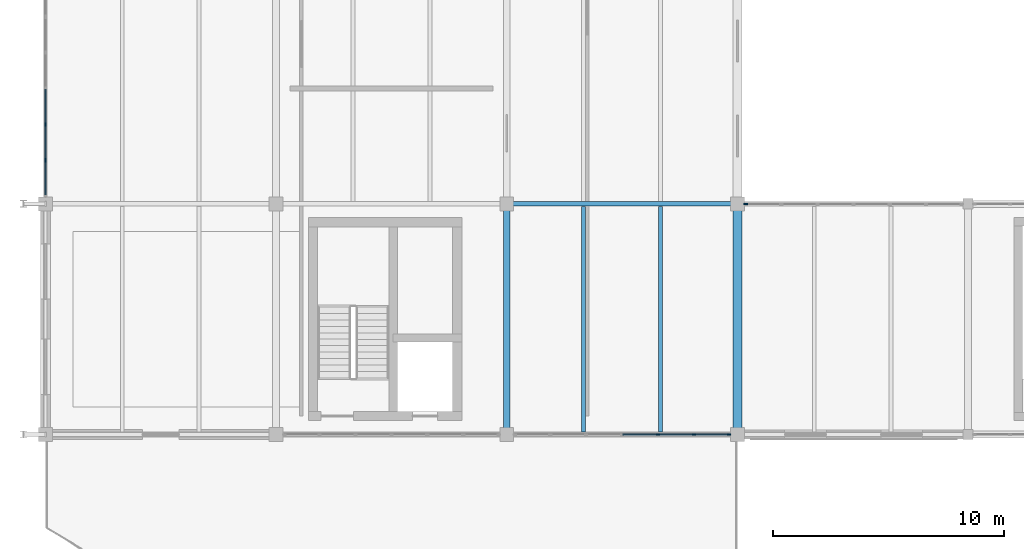
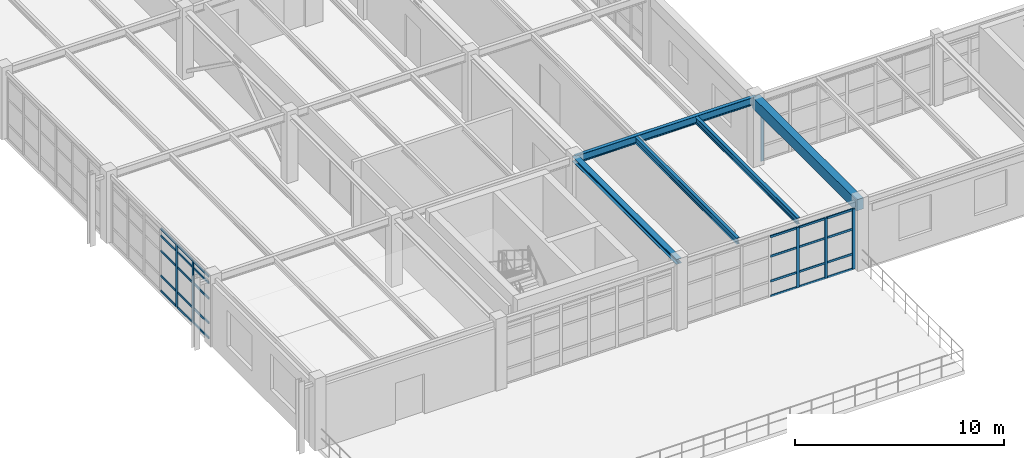
# One storey, part 25 of 122: 33 members, 5 beams, 3 elements without a shape of their own.
"""IFC4 building model written with IfcOpenShell, lengths in metres."""

from ifc_helpers import new_model, si_unit, direction, frame, origin, origin_2d, place, context, subcontext, project, spatial, rectangle, i_section, extrude, material, layer, layer_set, material_profile, profile_set, type_object, element, aggregate, save


model = new_model("IFC4")

# Units and contexts
model_context = context("Model", 3, precision=1e-05, world=origin(), true_north=direction((0.0, 1.0)))
body_context = subcontext(model_context, "Body", "Model", "MODEL_VIEW")
ifc_project = project(units=[si_unit("LENGTHUNIT", "METRE"), si_unit("AREAUNIT", "SQUARE_METRE"), si_unit("VOLUMEUNIT", "CUBIC_METRE"), si_unit("PLANEANGLEUNIT", "RADIAN"), si_unit("MASSUNIT", "GRAM", prefix="KILO"), si_unit("THERMODYNAMICTEMPERATUREUNIT", "KELVIN"), si_unit("POWERUNIT", "WATT")], contexts=[model_context])

# Site, building, storey
site_placement = place(None, origin())
site = spatial("IfcSite", under=ifc_project, at=site_placement, CompositionType="ELEMENT")
building_placement = place(site_placement, origin())
building = spatial("IfcBuilding", under=site, at=building_placement, Name="Korenveer Ferry Terminal", CompositionType="ELEMENT")
storey_placement = place(building_placement, frame((0.0, 0.0, 10.199951171875)))
storey = spatial("IfcBuildingStorey", under=building, at=storey_placement, Name="L02", CompositionType="ELEMENT", Elevation=10.199951171875)

# Curtain wall, members
ifc_material_1 = material(Name="Unitised bronze-and-glass curtain wall", Category="glass")
ifc_layer_1 = layer(ifc_material_1, 0.159912109375)
ifc_layer_set_1 = layer_set([ifc_layer_1], Name="Unitised bronze-and-glass curtain wall")
curtain_wall_type_1 = type_object("IfcCurtainWallType", Name="ENV-CW-83", PredefinedType="USERDEFINED", material=ifc_layer_set_1)
curtain_wall_1_placement = place(storey_placement, frame((20.330078125, 20.0, 0.0)))
curtain_wall_1 = element("IfcCurtainWall", 1, at=curtain_wall_1_placement, inside=storey, type_object=curtain_wall_type_1, Name="Lancet curtain wall CWX-L02-X20-30-Y20-20", ObjectType="UNITISED CURTAIN WALL", PredefinedType="USERDEFINED")
ifc_material_2 = material(Name="Anodised bronze aluminium", Category="aluminium")
ifc_material_profile_1 = material_profile(ifc_material_2, rectangle(XDim=0.06005859375, YDim=0.159912109375, at=origin_2d()), Name="ALU 60x160")
ifc_profile_set_1 = profile_set([ifc_material_profile_1], Name="Anodised bronze aluminium")
member_type_1 = type_object("IfcMemberType", Name="ENV-CWM-60X160", PredefinedType="MULLION", material=ifc_profile_set_1)
member_1_placement = place(storey_placement, frame((26.556640625, 20.0, 0.0), z_axis=(0.0, 0.0, 1.0), x_axis=(0.0, 1.0, 0.0)))
member_1 = element("IfcMember", 2, at=member_1_placement, type_object=member_type_1, Name="CW-83 mullion 5", PredefinedType="MULLION", context=body_context, shape_type="SweptSolid", body=[
    extrude(rectangle(XDim=0.06005859375, YDim=0.159912109375, at=origin_2d()), origin(), (0.0, 0.0, 1.0), 3.52001953125),
])
member_2_placement = place(storey_placement, frame((28.11328125, 20.0, 0.0), z_axis=(0.0, 0.0, 1.0), x_axis=(0.0, 1.0, 0.0)))
member_2 = element("IfcMember", 3, at=member_2_placement, type_object=member_type_1, Name="CW-83 mullion 6", PredefinedType="MULLION", context=body_context, shape_type="SweptSolid", body=[
    extrude(rectangle(XDim=0.06005859375, YDim=0.159912109375, at=origin_2d()), origin(), (0.0, 0.0, 1.0), 3.52001953125),
])
member_3_placement = place(storey_placement, frame((29.639892578125, 20.0, 0.0), z_axis=(0.0, 0.0, 1.0), x_axis=(0.0, 1.0, 0.0)))
member_3 = element("IfcMember", 4, at=member_3_placement, type_object=member_type_1, Name="CW-83 mullion 7", PredefinedType="MULLION", context=body_context, shape_type="SweptSolid", body=[
    extrude(rectangle(XDim=0.06005859375, YDim=0.159912109375, at=origin_2d()), origin(), (0.0, 0.0, 1.0), 3.52001953125),
])

# Curtain wall, member
ifc_layer_2 = layer(ifc_material_1, 0.159912109375)
ifc_layer_set_2 = layer_set([ifc_layer_2], Name="Unitised bronze-and-glass curtain wall")
curtain_wall_type_2 = type_object("IfcCurtainWallType", Name="ENV-CW-88", PredefinedType="USERDEFINED", material=ifc_layer_set_2)
curtain_wall_2_placement = place(storey_placement, frame((30.330078125, 30.0, 0.0)))
curtain_wall_2 = element("IfcCurtainWall", 5, at=curtain_wall_2_placement, inside=storey, type_object=curtain_wall_type_2, Name="Lancet curtain wall CWX-L02-X30-40-Y30-30", ObjectType="UNITISED CURTAIN WALL", PredefinedType="USERDEFINED")
member_4_placement = place(storey_placement, frame((30.360107421875, 30.0, 0.0), z_axis=(0.0, 0.0, 1.0), x_axis=(0.0, 1.0, 0.0)))
member_4 = element("IfcMember", 6, at=member_4_placement, type_object=member_type_1, Name="CW-88 mullion 1", PredefinedType="MULLION", context=body_context, shape_type="SweptSolid", body=[
    extrude(rectangle(XDim=0.06005859375, YDim=0.159912109375, at=origin_2d()), origin(), (0.0, 0.0, 1.0), 3.47998046875),
])
aggregate(curtain_wall_2, [member_4])

# Curtain wall, members
ifc_layer_3 = layer(ifc_material_1, 0.159912109375)
ifc_layer_set_3 = layer_set([ifc_layer_3], Name="Unitised bronze-and-glass curtain wall")
curtain_wall_type_3 = type_object("IfcCurtainWallType", Name="ENV-CW-104", PredefinedType="USERDEFINED", material=ifc_layer_set_3)
curtain_wall_3_placement = place(storey_placement, frame((0.0, 30.330078125, 0.0)))
curtain_wall_3 = element("IfcCurtainWall", 7, at=curtain_wall_3_placement, inside=storey, type_object=curtain_wall_type_3, Name="Lancet curtain wall CWX-L02-X0-0-Y30-40", ObjectType="UNITISED CURTAIN WALL", PredefinedType="USERDEFINED")
member_5_placement = place(storey_placement, frame((0.0, 31.88671875, 0.0), z_axis=(0.0, 0.0, 1.0), x_axis=(-1.0, 0.0, 0.0)))
member_5 = element("IfcMember", 8, at=member_5_placement, type_object=member_type_1, Name="CW-104 mullion 2", PredefinedType="MULLION", context=body_context, shape_type="SweptSolid", body=[
    extrude(rectangle(XDim=0.06005859375, YDim=0.159912109375, at=origin_2d()), origin(), (0.0, 0.0, 1.0), 3.670166015625),
])
member_6_placement = place(storey_placement, frame((0.0, 33.443359375, 0.0), z_axis=(0.0, 0.0, 1.0), x_axis=(-1.0, 0.0, 0.0)))
member_6 = element("IfcMember", 9, at=member_6_placement, type_object=member_type_1, Name="CW-104 mullion 3", PredefinedType="MULLION", context=body_context, shape_type="SweptSolid", body=[
    extrude(rectangle(XDim=0.06005859375, YDim=0.159912109375, at=origin_2d()), origin(), (0.0, 0.0, 1.0), 3.670166015625),
])

# Member
ifc_material_profile_2 = material_profile(ifc_material_2, rectangle(XDim=0.06005859375, YDim=0.1201171875, at=origin_2d()), Name="ALU 60x120")
ifc_profile_set_2 = profile_set([ifc_material_profile_2], Name="Anodised bronze aluminium")
member_type_2 = type_object("IfcMemberType", Name="ENV-CWT-60X120", PredefinedType="USERDEFINED", material=ifc_profile_set_2)
member_7_placement = place(storey_placement, frame((25.030029296875, 20.0, 0.030029296875), z_axis=(1.0, 0.0, 0.0), x_axis=(0.0, 1.0, 0.0)))
member_7 = element("IfcMember", 10, at=member_7_placement, type_object=member_type_2, Name="CW-83 transom 4.1", ObjectType="TRANSOM", PredefinedType="USERDEFINED", context=body_context, shape_type="SweptSolid", body=[
    extrude(rectangle(XDim=0.06005859375, YDim=0.1201171875, at=origin_2d()), origin(), (0.0, 0.0, 1.0), 1.49658203125),
])

member_8_placement = place(storey_placement, frame((25.030029296875, 20.0, 0.900146484375), z_axis=(1.0, 0.0, 0.0), x_axis=(0.0, 1.0, 0.0)))
member_8 = element("IfcMember", 11, at=member_8_placement, type_object=member_type_2, Name="CW-83 transom 4.2", ObjectType="TRANSOM", PredefinedType="USERDEFINED", context=body_context, shape_type="SweptSolid", body=[
    extrude(rectangle(XDim=0.06005859375, YDim=0.1201171875, at=origin_2d()), origin(), (0.0, 0.0, 1.0), 1.49658203125),
])

member_9_placement = place(storey_placement, frame((25.030029296875, 20.0, 2.35009765625), z_axis=(1.0, 0.0, 0.0), x_axis=(0.0, 1.0, 0.0)))
member_9 = element("IfcMember", 12, at=member_9_placement, type_object=member_type_2, Name="CW-83 transom 4.3", ObjectType="TRANSOM", PredefinedType="USERDEFINED", context=body_context, shape_type="SweptSolid", body=[
    extrude(rectangle(XDim=0.06005859375, YDim=0.1201171875, at=origin_2d()), origin(), (0.0, 0.0, 1.0), 1.49658203125),
])

member_10_placement = place(storey_placement, frame((25.030029296875, 20.0, 3.489990234375), z_axis=(1.0, 0.0, 0.0), x_axis=(0.0, 1.0, 0.0)))
member_10 = element("IfcMember", 13, at=member_10_placement, type_object=member_type_2, Name="CW-83 transom 4.4", ObjectType="TRANSOM", PredefinedType="USERDEFINED", context=body_context, shape_type="SweptSolid", body=[
    extrude(rectangle(XDim=0.06005859375, YDim=0.1201171875, at=origin_2d()), origin(), (0.0, 0.0, 1.0), 1.49658203125),
])

member_11_placement = place(storey_placement, frame((26.586669921875, 20.0, 0.030029296875), z_axis=(1.0, 0.0, 0.0), x_axis=(0.0, 1.0, 0.0)))
member_11 = element("IfcMember", 14, at=member_11_placement, type_object=member_type_2, Name="CW-83 transom 5.1", ObjectType="TRANSOM", PredefinedType="USERDEFINED", context=body_context, shape_type="SweptSolid", body=[
    extrude(rectangle(XDim=0.06005859375, YDim=0.1201171875, at=origin_2d()), origin(), (0.0, 0.0, 1.0), 1.49658203125),
])

member_12_placement = place(storey_placement, frame((26.586669921875, 20.0, 0.900146484375), z_axis=(1.0, 0.0, 0.0), x_axis=(0.0, 1.0, 0.0)))
member_12 = element("IfcMember", 15, at=member_12_placement, type_object=member_type_2, Name="CW-83 transom 5.2", ObjectType="TRANSOM", PredefinedType="USERDEFINED", context=body_context, shape_type="SweptSolid", body=[
    extrude(rectangle(XDim=0.06005859375, YDim=0.1201171875, at=origin_2d()), origin(), (0.0, 0.0, 1.0), 1.49658203125),
])

member_13_placement = place(storey_placement, frame((26.586669921875, 20.0, 2.35009765625), z_axis=(1.0, 0.0, 0.0), x_axis=(0.0, 1.0, 0.0)))
member_13 = element("IfcMember", 16, at=member_13_placement, type_object=member_type_2, Name="CW-83 transom 5.3", ObjectType="TRANSOM", PredefinedType="USERDEFINED", context=body_context, shape_type="SweptSolid", body=[
    extrude(rectangle(XDim=0.06005859375, YDim=0.1201171875, at=origin_2d()), origin(), (0.0, 0.0, 1.0), 1.49658203125),
])

member_14_placement = place(storey_placement, frame((26.586669921875, 20.0, 3.489990234375), z_axis=(1.0, 0.0, 0.0), x_axis=(0.0, 1.0, 0.0)))
member_14 = element("IfcMember", 17, at=member_14_placement, type_object=member_type_2, Name="CW-83 transom 5.4", ObjectType="TRANSOM", PredefinedType="USERDEFINED", context=body_context, shape_type="SweptSolid", body=[
    extrude(rectangle(XDim=0.06005859375, YDim=0.1201171875, at=origin_2d()), origin(), (0.0, 0.0, 1.0), 1.49658203125),
])

member_15_placement = place(storey_placement, frame((28.143310546875, 20.0, 0.030029296875), z_axis=(1.0, 0.0, 0.0), x_axis=(0.0, 1.0, 0.0)))
member_15 = element("IfcMember", 18, at=member_15_placement, type_object=member_type_2, Name="CW-83 transom 6.1", ObjectType="TRANSOM", PredefinedType="USERDEFINED", context=body_context, shape_type="SweptSolid", body=[
    extrude(rectangle(XDim=0.06005859375, YDim=0.1201171875, at=origin_2d()), origin(), (0.0, 0.0, 1.0), 1.466796875),
])

member_16_placement = place(storey_placement, frame((28.143310546875, 20.0, 0.900146484375), z_axis=(1.0, 0.0, 0.0), x_axis=(0.0, 1.0, 0.0)))
member_16 = element("IfcMember", 19, at=member_16_placement, type_object=member_type_2, Name="CW-83 transom 6.2", ObjectType="TRANSOM", PredefinedType="USERDEFINED", context=body_context, shape_type="SweptSolid", body=[
    extrude(rectangle(XDim=0.06005859375, YDim=0.1201171875, at=origin_2d()), origin(), (0.0, 0.0, 1.0), 1.466796875),
])

member_17_placement = place(storey_placement, frame((28.143310546875, 20.0, 2.35009765625), z_axis=(1.0, 0.0, 0.0), x_axis=(0.0, 1.0, 0.0)))
member_17 = element("IfcMember", 20, at=member_17_placement, type_object=member_type_2, Name="CW-83 transom 6.3", ObjectType="TRANSOM", PredefinedType="USERDEFINED", context=body_context, shape_type="SweptSolid", body=[
    extrude(rectangle(XDim=0.06005859375, YDim=0.1201171875, at=origin_2d()), origin(), (0.0, 0.0, 1.0), 1.466796875),
])

member_18_placement = place(storey_placement, frame((28.143310546875, 20.0, 3.489990234375), z_axis=(1.0, 0.0, 0.0), x_axis=(0.0, 1.0, 0.0)))
member_18 = element("IfcMember", 21, at=member_18_placement, type_object=member_type_2, Name="CW-83 transom 6.4", ObjectType="TRANSOM", PredefinedType="USERDEFINED", context=body_context, shape_type="SweptSolid", body=[
    extrude(rectangle(XDim=0.06005859375, YDim=0.1201171875, at=origin_2d()), origin(), (0.0, 0.0, 1.0), 1.466796875),
])

aggregate(curtain_wall_1, [member_1, member_2, member_3, member_7, member_8, member_9, member_10, member_11, member_12, member_13, member_14, member_15, member_16, member_17, member_18])

member_19_placement = place(storey_placement, frame((0.0, 30.389892578125, 0.030029296875), z_axis=(0.0, 1.0, 0.0), x_axis=(-1.0, 0.0, 0.0)))
member_19 = element("IfcMember", 22, at=member_19_placement, type_object=member_type_2, Name="CW-104 transom 1.1", ObjectType="TRANSOM", PredefinedType="USERDEFINED", context=body_context, shape_type="SweptSolid", body=[
    extrude(rectangle(XDim=0.06005859375, YDim=0.1201171875, at=origin_2d()), origin(), (0.0, 0.0, 1.0), 1.466796875),
])

member_20_placement = place(storey_placement, frame((0.0, 30.389892578125, 0.900146484375), z_axis=(0.0, 1.0, 0.0), x_axis=(-1.0, 0.0, 0.0)))
member_20 = element("IfcMember", 23, at=member_20_placement, type_object=member_type_2, Name="CW-104 transom 1.2", ObjectType="TRANSOM", PredefinedType="USERDEFINED", context=body_context, shape_type="SweptSolid", body=[
    extrude(rectangle(XDim=0.06005859375, YDim=0.1201171875, at=origin_2d()), origin(), (0.0, 0.0, 1.0), 1.466796875),
])

member_21_placement = place(storey_placement, frame((0.0, 30.389892578125, 2.35009765625), z_axis=(0.0, 1.0, 0.0), x_axis=(-1.0, 0.0, 0.0)))
member_21 = element("IfcMember", 24, at=member_21_placement, type_object=member_type_2, Name="CW-104 transom 1.3", ObjectType="TRANSOM", PredefinedType="USERDEFINED", context=body_context, shape_type="SweptSolid", body=[
    extrude(rectangle(XDim=0.06005859375, YDim=0.1201171875, at=origin_2d()), origin(), (0.0, 0.0, 1.0), 1.466796875),
])

member_22_placement = place(storey_placement, frame((0.0, 30.389892578125, 3.25), z_axis=(0.0, 1.0, 0.0), x_axis=(-1.0, 0.0, 0.0)))
member_22 = element("IfcMember", 25, at=member_22_placement, type_object=member_type_2, Name="CW-104 transom 1.4", ObjectType="TRANSOM", PredefinedType="USERDEFINED", context=body_context, shape_type="SweptSolid", body=[
    extrude(rectangle(XDim=0.06005859375, YDim=0.1201171875, at=origin_2d()), origin(), (0.0, 0.0, 1.0), 1.466796875),
])

member_23_placement = place(storey_placement, frame((0.0, 30.389892578125, 3.64013671875), z_axis=(0.0, 1.0, 0.0), x_axis=(-1.0, 0.0, 0.0)))
member_23 = element("IfcMember", 26, at=member_23_placement, type_object=member_type_2, Name="CW-104 transom 1.5", ObjectType="TRANSOM", PredefinedType="USERDEFINED", context=body_context, shape_type="SweptSolid", body=[
    extrude(rectangle(XDim=0.06005859375, YDim=0.1201171875, at=origin_2d()), origin(), (0.0, 0.0, 1.0), 1.466796875),
])

member_24_placement = place(storey_placement, frame((0.0, 31.916748046875, 0.030029296875), z_axis=(0.0, 1.0, 0.0), x_axis=(-1.0, 0.0, 0.0)))
member_24 = element("IfcMember", 27, at=member_24_placement, type_object=member_type_2, Name="CW-104 transom 2.1", ObjectType="TRANSOM", PredefinedType="USERDEFINED", context=body_context, shape_type="SweptSolid", body=[
    extrude(rectangle(XDim=0.06005859375, YDim=0.1201171875, at=origin_2d()), origin(), (0.0, 0.0, 1.0), 1.49658203125),
])

member_25_placement = place(storey_placement, frame((0.0, 31.916748046875, 0.900146484375), z_axis=(0.0, 1.0, 0.0), x_axis=(-1.0, 0.0, 0.0)))
member_25 = element("IfcMember", 28, at=member_25_placement, type_object=member_type_2, Name="CW-104 transom 2.2", ObjectType="TRANSOM", PredefinedType="USERDEFINED", context=body_context, shape_type="SweptSolid", body=[
    extrude(rectangle(XDim=0.06005859375, YDim=0.1201171875, at=origin_2d()), origin(), (0.0, 0.0, 1.0), 1.49658203125),
])

member_26_placement = place(storey_placement, frame((0.0, 31.916748046875, 2.35009765625), z_axis=(0.0, 1.0, 0.0), x_axis=(-1.0, 0.0, 0.0)))
member_26 = element("IfcMember", 29, at=member_26_placement, type_object=member_type_2, Name="CW-104 transom 2.3", ObjectType="TRANSOM", PredefinedType="USERDEFINED", context=body_context, shape_type="SweptSolid", body=[
    extrude(rectangle(XDim=0.06005859375, YDim=0.1201171875, at=origin_2d()), origin(), (0.0, 0.0, 1.0), 1.49658203125),
])

member_27_placement = place(storey_placement, frame((0.0, 31.916748046875, 3.25), z_axis=(0.0, 1.0, 0.0), x_axis=(-1.0, 0.0, 0.0)))
member_27 = element("IfcMember", 30, at=member_27_placement, type_object=member_type_2, Name="CW-104 transom 2.4", ObjectType="TRANSOM", PredefinedType="USERDEFINED", context=body_context, shape_type="SweptSolid", body=[
    extrude(rectangle(XDim=0.06005859375, YDim=0.1201171875, at=origin_2d()), origin(), (0.0, 0.0, 1.0), 1.49658203125),
])

member_28_placement = place(storey_placement, frame((0.0, 31.916748046875, 3.64013671875), z_axis=(0.0, 1.0, 0.0), x_axis=(-1.0, 0.0, 0.0)))
member_28 = element("IfcMember", 31, at=member_28_placement, type_object=member_type_2, Name="CW-104 transom 2.5", ObjectType="TRANSOM", PredefinedType="USERDEFINED", context=body_context, shape_type="SweptSolid", body=[
    extrude(rectangle(XDim=0.06005859375, YDim=0.1201171875, at=origin_2d()), origin(), (0.0, 0.0, 1.0), 1.49658203125),
])

member_29_placement = place(storey_placement, frame((0.0, 33.473388671875, 0.030029296875), z_axis=(0.0, 1.0, 0.0), x_axis=(-1.0, 0.0, 0.0)))
member_29 = element("IfcMember", 32, at=member_29_placement, type_object=member_type_2, Name="CW-104 transom 3.1", ObjectType="TRANSOM", PredefinedType="USERDEFINED", context=body_context, shape_type="SweptSolid", body=[
    extrude(rectangle(XDim=0.06005859375, YDim=0.1201171875, at=origin_2d()), origin(), (0.0, 0.0, 1.0), 1.49658203125),
])

member_30_placement = place(storey_placement, frame((0.0, 33.473388671875, 0.900146484375), z_axis=(0.0, 1.0, 0.0), x_axis=(-1.0, 0.0, 0.0)))
member_30 = element("IfcMember", 33, at=member_30_placement, type_object=member_type_2, Name="CW-104 transom 3.2", ObjectType="TRANSOM", PredefinedType="USERDEFINED", context=body_context, shape_type="SweptSolid", body=[
    extrude(rectangle(XDim=0.06005859375, YDim=0.1201171875, at=origin_2d()), origin(), (0.0, 0.0, 1.0), 1.49658203125),
])

member_31_placement = place(storey_placement, frame((0.0, 33.473388671875, 2.35009765625), z_axis=(0.0, 1.0, 0.0), x_axis=(-1.0, 0.0, 0.0)))
member_31 = element("IfcMember", 34, at=member_31_placement, type_object=member_type_2, Name="CW-104 transom 3.3", ObjectType="TRANSOM", PredefinedType="USERDEFINED", context=body_context, shape_type="SweptSolid", body=[
    extrude(rectangle(XDim=0.06005859375, YDim=0.1201171875, at=origin_2d()), origin(), (0.0, 0.0, 1.0), 1.49658203125),
])

member_32_placement = place(storey_placement, frame((0.0, 33.473388671875, 3.25), z_axis=(0.0, 1.0, 0.0), x_axis=(-1.0, 0.0, 0.0)))
member_32 = element("IfcMember", 35, at=member_32_placement, type_object=member_type_2, Name="CW-104 transom 3.4", ObjectType="TRANSOM", PredefinedType="USERDEFINED", context=body_context, shape_type="SweptSolid", body=[
    extrude(rectangle(XDim=0.06005859375, YDim=0.1201171875, at=origin_2d()), origin(), (0.0, 0.0, 1.0), 1.49658203125),
])

member_33_placement = place(storey_placement, frame((0.0, 33.473388671875, 3.64013671875), z_axis=(0.0, 1.0, 0.0), x_axis=(-1.0, 0.0, 0.0)))
member_33 = element("IfcMember", 36, at=member_33_placement, type_object=member_type_2, Name="CW-104 transom 3.5", ObjectType="TRANSOM", PredefinedType="USERDEFINED", context=body_context, shape_type="SweptSolid", body=[
    extrude(rectangle(XDim=0.06005859375, YDim=0.1201171875, at=origin_2d()), origin(), (0.0, 0.0, 1.0), 1.49658203125),
])

aggregate(curtain_wall_3, [member_5, member_6, member_19, member_20, member_21, member_22, member_23, member_24, member_25, member_26, member_27, member_28, member_29, member_30, member_31, member_32, member_33])

# Beams
ifc_material_3 = material(Name="Steel S355", Category="steel")
ifc_material_profile_3 = material_profile(ifc_material_3, i_section(OverallWidth=0.300048828125, OverallDepth=0.2900390625, WebThickness=0.008544921875, FlangeThickness=0.013916015625, FilletRadius=0.027099609375, at=origin_2d()), Name="HEA 300")
ifc_profile_set_3 = profile_set([ifc_material_profile_3], Name="Steel S355")
beam_type_1 = type_object("IfcBeamType", Name="STR-BM-HEA300", PredefinedType="BEAM", material=ifc_profile_set_3)
beam_1_placement = place(storey_placement, frame((20.0, 20.02001953125, 3.804931640625), z_axis=(0.0, 1.0, 0.0), x_axis=(-1.0, 0.0, 0.0)))
element("IfcBeam", 37, at=beam_1_placement, inside=storey, type_object=beam_type_1, Name="Primary Y girder BMY-L03-X20-Y20-30", PredefinedType="BEAM", context=body_context, shape_type="SweptSolid", body=[
    extrude(i_section(OverallWidth=0.300048828125, OverallDepth=0.2900390625, WebThickness=0.008544921875, FlangeThickness=0.013916015625, FilletRadius=0.027099609375, at=origin_2d()), origin(), (0.0, 0.0, 1.0), 9.9599609375),
])
ifc_material_profile_4 = material_profile(ifc_material_3, i_section(OverallWidth=0.18994140625, OverallDepth=0.449951171875, WebThickness=0.009521484375, FlangeThickness=0.0146484375, FilletRadius=0.02099609375, at=origin_2d()), Name="IPE 450")
ifc_profile_set_4 = profile_set([ifc_material_profile_4], Name="Steel S355")
beam_type_2 = type_object("IfcBeamType", Name="STR-BM-IPE450", PredefinedType="BEAM", material=ifc_profile_set_4)
beam_2_placement = place(storey_placement, frame((20.02001953125, 30.0, 3.72509765625), z_axis=(1.0, 0.0, 0.0), x_axis=(0.0, 1.0, 0.0)))
element("IfcBeam", 38, at=beam_2_placement, inside=storey, type_object=beam_type_2, Name="Primary X girder BMX-L03-X20-30-Y30", PredefinedType="BEAM", context=body_context, shape_type="SweptSolid", body=[
    extrude(i_section(OverallWidth=0.18994140625, OverallDepth=0.449951171875, WebThickness=0.009521484375, FlangeThickness=0.0146484375, FilletRadius=0.02099609375, at=origin_2d()), origin(), (0.0, 0.0, 1.0), 9.9599609375),
])
ifc_material_4 = material(Name="Concrete C40/50", Category="concrete")
ifc_material_profile_5 = material_profile(ifc_material_4, rectangle(XDim=0.39990234375, YDim=0.64990234375, at=origin_2d()), Name="RC 400x650")
ifc_profile_set_5 = profile_set([ifc_material_profile_5], Name="Concrete C40/50")
beam_type_3 = type_object("IfcBeamType", Name="STR-BM-RC400X650", PredefinedType="BEAM", material=ifc_profile_set_5)
beam_3_placement = place(storey_placement, frame((30.0, 20.02001953125, 3.625), z_axis=(0.0, 1.0, 0.0), x_axis=(-1.0, 0.0, 0.0)))
element("IfcBeam", 39, at=beam_3_placement, inside=storey, type_object=beam_type_3, Name="Primary Y girder BMY-L03-X30-Y20-30", PredefinedType="BEAM", context=body_context, shape_type="SweptSolid", body=[
    extrude(rectangle(XDim=0.39990234375, YDim=0.64990234375, at=origin_2d()), origin(), (0.0, 0.0, 1.0), 9.9599609375),
])
ifc_material_profile_6 = material_profile(ifc_material_3, i_section(OverallWidth=0.169921875, OverallDepth=0.360107421875, WebThickness=0.008056640625, FlangeThickness=0.0126953125, FilletRadius=0.01806640625, at=origin_2d()), Name="IPE 360")
ifc_profile_set_6 = profile_set([ifc_material_profile_6], Name="Steel S355")
beam_type_4 = type_object("IfcBeamType", Name="STR-JST-IPE360", PredefinedType="JOIST", material=ifc_profile_set_6)
for number, where, z_axis, x_axis, name in (
    (40, (23.333251953125, 20.110107421875, 3.77001953125), (0.0, 1.0, 0.0), (-1.0, 0.0, 0.0), "Secondary composite joist JST-L03-X233-Y20-30"),
    (41, (26.666748046875, 20.110107421875, 3.77001953125), (0.0, 1.0, 0.0), (-1.0, 0.0, 0.0), "Secondary composite joist JST-L03-X267-Y20-30"),
):
    element("IfcBeam", number, at=place(storey_placement, frame(where, z_axis=z_axis, x_axis=x_axis)), inside=storey, type_object=beam_type_4, Name=name, PredefinedType="JOIST", context=body_context, shape_type="SweptSolid", body=[
        extrude(i_section(OverallWidth=0.169921875, OverallDepth=0.360107421875, WebThickness=0.008056640625, FlangeThickness=0.0126953125, FilletRadius=0.01806640625, at=origin_2d()), origin(), (0.0, 0.0, 1.0), 9.784912109375),
    ])

save(model, "model.ifc")
